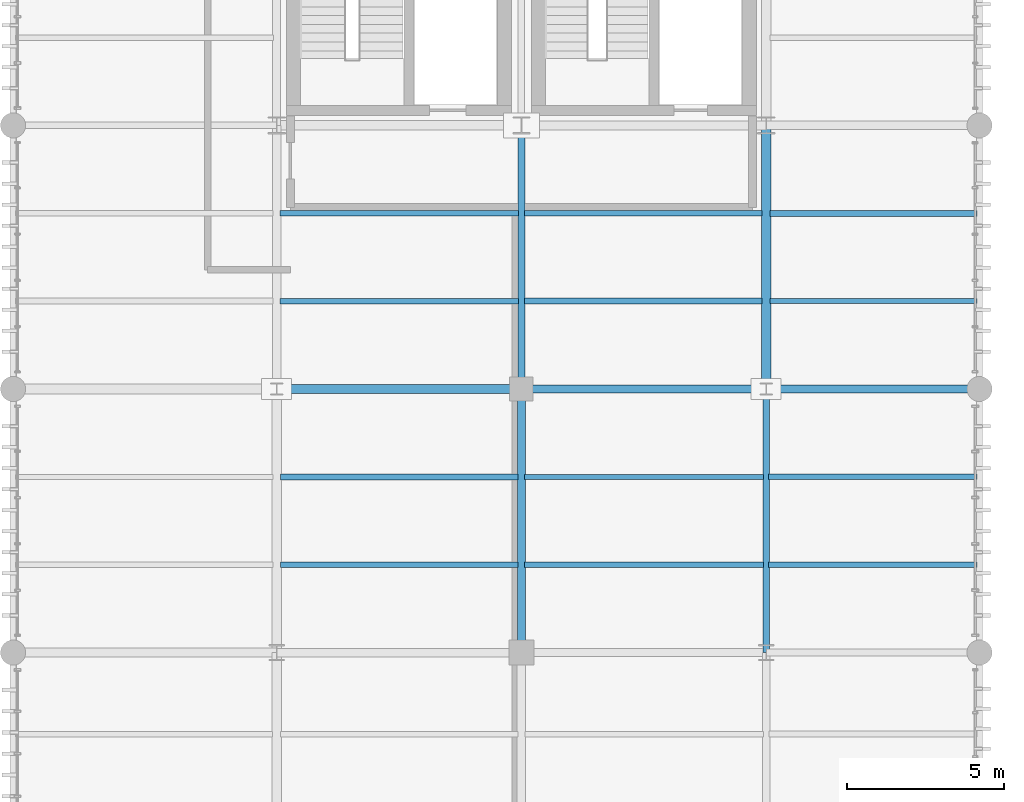
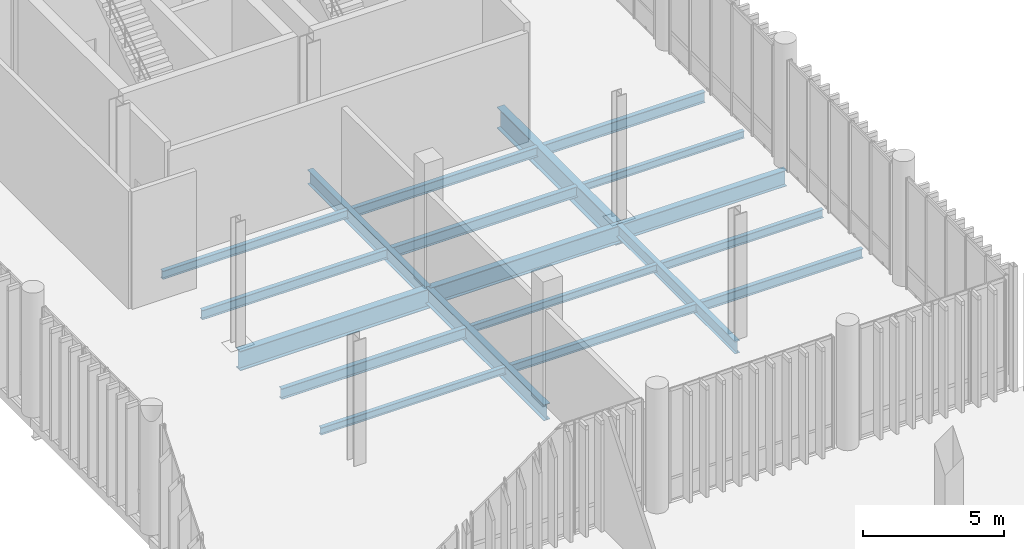
# One storey, part 64 of 112: 19 beams.
"""IFC4 building model written with IfcOpenShell, lengths in metres."""

from ifc_helpers import new_model, si_unit, direction, frame, origin_with_axes, origin_2d_with_axis, place, context, subcontext, project, spatial, i_section, extrude, material, material_profile, profile_set, type_object, element, save


model = new_model("IFC4")

# Units and contexts
model_context = context("Model", 3, precision=1e-05, world=origin_with_axes(), true_north=direction((0.0, 1.0)))
body_context = subcontext(model_context, "Body", "Model", "MODEL_VIEW")
ifc_project = project(units=[si_unit("LENGTHUNIT", "METRE"), si_unit("AREAUNIT", "SQUARE_METRE"), si_unit("VOLUMEUNIT", "CUBIC_METRE"), si_unit("PLANEANGLEUNIT", "RADIAN"), si_unit("MASSUNIT", "GRAM", prefix="KILO"), si_unit("THERMODYNAMICTEMPERATUREUNIT", "KELVIN")], contexts=[model_context])

# Site, building, storey
site_placement = place(None, origin_with_axes())
site = spatial("IfcSite", under=ifc_project, at=site_placement, CompositionType="ELEMENT")
building_placement = place(site_placement, origin_with_axes())
building = spatial("IfcBuilding", under=site, at=building_placement, Name="Montbau Bow Law Courts", CompositionType="ELEMENT")
storey_placement = place(building_placement, origin_with_axes())
storey = spatial("IfcBuildingStorey", under=building, at=storey_placement, Name="L00", CompositionType="ELEMENT", Elevation=0.0)

# Beams
ifc_material = material(Name="Steel CSA G40.21 Grade 350W (350 MPa)", Category="steel")
ifc_material_profile_1 = material_profile(ifc_material, i_section(OverallWidth=0.306, OverallDepth=0.919, WebThickness=0.0173, FlangeThickness=0.0279, at=origin_2d_with_axis()), Name="W920X253", Category="Main", Priority=0)
ifc_profile_set_1 = profile_set([ifc_material_profile_1], Name="Steel CSA G40.21 Grade 350W (350 MPa)")
beam_type_1 = type_object("IfcBeamType", Name="B-FLR-01", PredefinedType="BEAM", material=ifc_profile_set_1)
beam_1_placement = place(None, frame((162.6, 78.0, -0.72), z_axis=(0.0, 1.0, 0.0), x_axis=(-1.0, 0.0, 0.0)))
element("IfcBeam", 1, at=beam_1_placement, inside=storey, type_object=beam_type_1, Name="BM-L00-S0454:bm2_0457", PredefinedType="BEAM", context=body_context, shape_type="SweptSolid", body=[
    extrude(i_section(OverallWidth=0.306, OverallDepth=0.919, WebThickness=0.0173, FlangeThickness=0.0279, at=origin_2d_with_axis()), origin_with_axes(), (0.0, 0.0, 1.0), 8.4),
])
ifc_material_profile_2 = material_profile(ifc_material, i_section(OverallWidth=0.293, OverallDepth=0.846, WebThickness=0.0154, FlangeThickness=0.0244, at=origin_2d_with_axis()), Name="W840X210", Category="Main", Priority=0)
ifc_profile_set_2 = profile_set([ifc_material_profile_2], Name="Steel CSA G40.21 Grade 350W (350 MPa)")
beam_type_2 = type_object("IfcBeamType", Name="B-FLR-02", PredefinedType="BEAM", material=ifc_profile_set_2)
beam_2_placement = place(None, frame((147.0, 78.0, -0.683), z_axis=(1.0, 0.0, 0.0), x_axis=(0.0, 1.0, 0.0)))
element("IfcBeam", 2, at=beam_2_placement, inside=storey, type_object=beam_type_2, Name="BM-L00-S0408:bm2_0411", PredefinedType="BEAM", context=body_context, shape_type="SweptSolid", body=[
    extrude(i_section(OverallWidth=0.293, OverallDepth=0.846, WebThickness=0.0154, FlangeThickness=0.0244, at=origin_2d_with_axis()), origin_with_axes(), (0.0, 0.0, 1.0), 7.8),
])
ifc_material_profile_3 = material_profile(ifc_material, i_section(OverallWidth=0.267, OverallDepth=0.766, WebThickness=0.0149, FlangeThickness=0.0236, at=origin_2d_with_axis()), Name="W760X185", Category="Main", Priority=0)
ifc_profile_set_3 = profile_set([ifc_material_profile_3], Name="Steel CSA G40.21 Grade 350W (350 MPa)")
beam_type_3 = type_object("IfcBeamType", Name="B-FLR-03", PredefinedType="BEAM", material=ifc_profile_set_3)
beam_3_placement = place(None, frame((154.8, 78.0, -0.643), z_axis=(1.0, 0.0, 0.0), x_axis=(0.0, 1.0, 0.0)))
element("IfcBeam", 3, at=beam_3_placement, inside=storey, type_object=beam_type_3, Name="BM-L00-S0409:bm2_0412", PredefinedType="BEAM", context=body_context, shape_type="SweptSolid", body=[
    extrude(i_section(OverallWidth=0.267, OverallDepth=0.766, WebThickness=0.0149, FlangeThickness=0.0236, at=origin_2d_with_axis()), origin_with_axes(), (0.0, 0.0, 1.0), 7.8),
])
ifc_material_profile_4 = material_profile(ifc_material, i_section(OverallWidth=0.254, OverallDepth=0.688, WebThickness=0.0131, FlangeThickness=0.0211, at=origin_2d_with_axis()), Name="W690X152", Category="Main", Priority=0)
ifc_profile_set_4 = profile_set([ifc_material_profile_4], Name="Steel CSA G40.21 Grade 350W (350 MPa)")
beam_type_4 = type_object("IfcBeamType", Name="B-FLR-04", PredefinedType="BEAM", material=ifc_profile_set_4)
beam_4_placement = place(None, frame((162.6, 78.0, -0.604), z_axis=(1.0, 0.0, 0.0), x_axis=(0.0, 1.0, 0.0)))
element("IfcBeam", 4, at=beam_4_placement, inside=storey, type_object=beam_type_4, Name="BM-L00-S0410:bm2_0413", PredefinedType="BEAM", context=body_context, shape_type="SweptSolid", body=[
    extrude(i_section(OverallWidth=0.254, OverallDepth=0.688, WebThickness=0.0131, FlangeThickness=0.0211, at=origin_2d_with_axis()), origin_with_axes(), (0.0, 0.0, 1.0), 6.8),
])
beam_5_placement = place(None, frame((154.8, 69.6, -0.604), z_axis=(0.0, 1.0, 0.0), x_axis=(-1.0, 0.0, 0.0)))
element("IfcBeam", 5, at=beam_5_placement, inside=storey, type_object=beam_type_4, Name="BM-L00-S0446:bm2_0449", PredefinedType="BEAM", context=body_context, shape_type="SweptSolid", body=[
    extrude(i_section(OverallWidth=0.254, OverallDepth=0.688, WebThickness=0.0131, FlangeThickness=0.0211, at=origin_2d_with_axis()), origin_with_axes(), (0.0, 0.0, 1.0), 8.4),
])
ifc_material_profile_5 = material_profile(ifc_material, i_section(OverallWidth=0.229, OverallDepth=0.612, WebThickness=0.0119, FlangeThickness=0.0196, at=origin_2d_with_axis()), Name="W610X125", Category="Main", Priority=0)
ifc_profile_set_5 = profile_set([ifc_material_profile_5], Name="Steel CSA G40.21 Grade 350W (350 MPa)")
beam_type_5 = type_object("IfcBeamType", Name="B-FLR-05", PredefinedType="BEAM", material=ifc_profile_set_5)
beam_6_placement = place(None, frame((154.8, 78.0, -0.566), z_axis=(0.0, 1.0, 0.0), x_axis=(-1.0, 0.0, 0.0)))
element("IfcBeam", 6, at=beam_6_placement, inside=storey, type_object=beam_type_5, Name="BM-L00-S0447:bm2_0450", PredefinedType="BEAM", context=body_context, shape_type="SweptSolid", body=[
    extrude(i_section(OverallWidth=0.229, OverallDepth=0.612, WebThickness=0.0119, FlangeThickness=0.0196, at=origin_2d_with_axis()), origin_with_axes(), (0.0, 0.0, 1.0), 8.4),
])
ifc_material_profile_6 = material_profile(ifc_material, i_section(OverallWidth=0.21, OverallDepth=0.537, WebThickness=0.0109, FlangeThickness=0.0174, at=origin_2d_with_axis()), Name="W530X101", Category="Main", Priority=0)
ifc_profile_set_6 = profile_set([ifc_material_profile_6], Name="Steel CSA G40.21 Grade 350W (350 MPa)")
beam_type_6 = type_object("IfcBeamType", Name="B-FLR-06", PredefinedType="BEAM", material=ifc_profile_set_6)
beam_7_placement = place(None, frame((162.6, 69.6, -0.528), z_axis=(0.0, 1.0, 0.0), x_axis=(-1.0, 0.0, 0.0)))
element("IfcBeam", 7, at=beam_7_placement, inside=storey, type_object=beam_type_6, Name="BM-L00-S0453:bm2_0456", PredefinedType="BEAM", context=body_context, shape_type="SweptSolid", body=[
    extrude(i_section(OverallWidth=0.21, OverallDepth=0.537, WebThickness=0.0109, FlangeThickness=0.0174, at=origin_2d_with_axis()), origin_with_axes(), (0.0, 0.0, 1.0), 8.4),
])
ifc_material_profile_7 = material_profile(ifc_material, i_section(OverallWidth=0.191, OverallDepth=0.46, WebThickness=0.0099, FlangeThickness=0.016, at=origin_2d_with_axis()), Name="W460X82", Category="Main", Priority=0)
ifc_profile_set_7 = profile_set([ifc_material_profile_7], Name="Steel CSA G40.21 Grade 350W (350 MPa)")
beam_type_7 = type_object("IfcBeamType", Name="B-JST-01", PredefinedType="JOIST", material=ifc_profile_set_7)
beam_8_placement = place(None, frame((147.123, 75.2, -0.49), z_axis=(1.0, 0.0, 0.0), x_axis=(0.0, 1.0, 0.0)))
element("IfcBeam", 8, at=beam_8_placement, inside=storey, type_object=beam_type_7, Name="JST-L00-S0196:jst2_0196", PredefinedType="JOIST", context=body_context, shape_type="SweptSolid", body=[
    extrude(i_section(OverallWidth=0.191, OverallDepth=0.46, WebThickness=0.0099, FlangeThickness=0.016, at=origin_2d_with_axis()), origin_with_axes(), (0.0, 0.0, 1.0), 7.574),
])
beam_9_placement = place(None, frame((154.891, 80.8, -0.49), z_axis=(1.0, 0.0, 0.0), x_axis=(0.0, 1.0, 0.0)))
element("IfcBeam", 9, at=beam_9_placement, inside=storey, type_object=beam_type_7, Name="JST-L00-S0208:jst2_0208", PredefinedType="JOIST", context=body_context, shape_type="SweptSolid", body=[
    extrude(i_section(OverallWidth=0.191, OverallDepth=0.46, WebThickness=0.0099, FlangeThickness=0.016, at=origin_2d_with_axis()), origin_with_axes(), (0.0, 0.0, 1.0), 7.58),
])
beam_10_placement = place(None, frame((162.729, 83.6, -0.49), z_axis=(1.0, 0.0, 0.0), x_axis=(0.0, 1.0, 0.0)))
element("IfcBeam", 10, at=beam_10_placement, inside=storey, type_object=beam_type_7, Name="JST-L00-S0220:jst2_0220", PredefinedType="JOIST", context=body_context, shape_type="SweptSolid", body=[
    extrude(i_section(OverallWidth=0.191, OverallDepth=0.46, WebThickness=0.0099, FlangeThickness=0.016, at=origin_2d_with_axis()), origin_with_axes(), (0.0, 0.0, 1.0), 6.591),
])
ifc_material_profile_8 = material_profile(ifc_material, i_section(OverallWidth=0.179, OverallDepth=0.41, WebThickness=0.0088, FlangeThickness=0.0144, at=origin_2d_with_axis()), Name="W410X67", Category="Main", Priority=0)
ifc_profile_set_8 = profile_set([ifc_material_profile_8], Name="Steel CSA G40.21 Grade 350W (350 MPa)")
beam_type_8 = type_object("IfcBeamType", Name="B-JST-02", PredefinedType="JOIST", material=ifc_profile_set_8)
beam_11_placement = place(None, frame((147.109, 80.8, -0.465), z_axis=(1.0, 0.0, 0.0), x_axis=(0.0, 1.0, 0.0)))
element("IfcBeam", 11, at=beam_11_placement, inside=storey, type_object=beam_type_8, Name="JST-L00-S0197:jst2_0197", PredefinedType="JOIST", context=body_context, shape_type="SweptSolid", body=[
    extrude(i_section(OverallWidth=0.179, OverallDepth=0.41, WebThickness=0.0088, FlangeThickness=0.0144, at=origin_2d_with_axis()), origin_with_axes(), (0.0, 0.0, 1.0), 7.601),
])
beam_12_placement = place(None, frame((154.891, 83.6, -0.465), z_axis=(1.0, 0.0, 0.0), x_axis=(0.0, 1.0, 0.0)))
element("IfcBeam", 12, at=beam_12_placement, inside=storey, type_object=beam_type_8, Name="JST-L00-S0209:jst2_0209", PredefinedType="JOIST", context=body_context, shape_type="SweptSolid", body=[
    extrude(i_section(OverallWidth=0.179, OverallDepth=0.41, WebThickness=0.0088, FlangeThickness=0.0144, at=origin_2d_with_axis()), origin_with_axes(), (0.0, 0.0, 1.0), 7.58),
])
beam_13_placement = place(None, frame((162.681, 72.4, -0.465), z_axis=(1.0, 0.0, 0.0), x_axis=(0.0, 1.0, 0.0)))
element("IfcBeam", 13, at=beam_13_placement, inside=storey, type_object=beam_type_8, Name="JST-L00-S0217:jst2_0217", PredefinedType="JOIST", context=body_context, shape_type="SweptSolid", body=[
    extrude(i_section(OverallWidth=0.179, OverallDepth=0.41, WebThickness=0.0088, FlangeThickness=0.0144, at=origin_2d_with_axis()), origin_with_axes(), (0.0, 0.0, 1.0), 6.639),
])
ifc_material_profile_9 = material_profile(ifc_material, i_section(OverallWidth=0.172, OverallDepth=0.358, WebThickness=0.0079, FlangeThickness=0.0131, at=origin_2d_with_axis()), Name="W360X57", Category="Main", Priority=0)
ifc_profile_set_9 = profile_set([ifc_material_profile_9], Name="Steel CSA G40.21 Grade 350W (350 MPa)")
beam_type_9 = type_object("IfcBeamType", Name="B-JST-03", PredefinedType="JOIST", material=ifc_profile_set_9)
beam_14_placement = place(None, frame((147.109, 83.6, -0.439), z_axis=(1.0, 0.0, 0.0), x_axis=(0.0, 1.0, 0.0)))
element("IfcBeam", 14, at=beam_14_placement, inside=storey, type_object=beam_type_9, Name="JST-L00-S0198:jst2_0198", PredefinedType="JOIST", context=body_context, shape_type="SweptSolid", body=[
    extrude(i_section(OverallWidth=0.172, OverallDepth=0.358, WebThickness=0.0079, FlangeThickness=0.0131, at=origin_2d_with_axis()), origin_with_axes(), (0.0, 0.0, 1.0), 7.601),
])
beam_15_placement = place(None, frame((154.903, 72.4, -0.439), z_axis=(1.0, 0.0, 0.0), x_axis=(0.0, 1.0, 0.0)))
element("IfcBeam", 15, at=beam_15_placement, inside=storey, type_object=beam_type_9, Name="JST-L00-S0206:jst2_0206", PredefinedType="JOIST", context=body_context, shape_type="SweptSolid", body=[
    extrude(i_section(OverallWidth=0.172, OverallDepth=0.358, WebThickness=0.0079, FlangeThickness=0.0131, at=origin_2d_with_axis()), origin_with_axes(), (0.0, 0.0, 1.0), 7.616),
])
beam_16_placement = place(None, frame((162.681, 75.2, -0.439), z_axis=(1.0, 0.0, 0.0), x_axis=(0.0, 1.0, 0.0)))
element("IfcBeam", 16, at=beam_16_placement, inside=storey, type_object=beam_type_9, Name="JST-L00-S0218:jst2_0218", PredefinedType="JOIST", context=body_context, shape_type="SweptSolid", body=[
    extrude(i_section(OverallWidth=0.172, OverallDepth=0.358, WebThickness=0.0079, FlangeThickness=0.0131, at=origin_2d_with_axis()), origin_with_axes(), (0.0, 0.0, 1.0), 6.639),
])
ifc_material_profile_10 = material_profile(ifc_material, i_section(OverallWidth=0.166, OverallDepth=0.313, WebThickness=0.0066, FlangeThickness=0.0112, at=origin_2d_with_axis()), Name="W310X45", Category="Main", Priority=0)
ifc_profile_set_10 = profile_set([ifc_material_profile_10], Name="Steel CSA G40.21 Grade 350W (350 MPa)")
beam_type_10 = type_object("IfcBeamType", Name="B-JST-04", PredefinedType="JOIST", material=ifc_profile_set_10)
beam_17_placement = place(None, frame((147.123, 72.4, -0.416), z_axis=(1.0, 0.0, 0.0), x_axis=(0.0, 1.0, 0.0)))
element("IfcBeam", 17, at=beam_17_placement, inside=storey, type_object=beam_type_10, Name="JST-L00-S0195:jst2_0195", PredefinedType="JOIST", context=body_context, shape_type="SweptSolid", body=[
    extrude(i_section(OverallWidth=0.166, OverallDepth=0.313, WebThickness=0.0066, FlangeThickness=0.0112, at=origin_2d_with_axis()), origin_with_axes(), (0.0, 0.0, 1.0), 7.574),
])
beam_18_placement = place(None, frame((154.903, 75.2, -0.416), z_axis=(1.0, 0.0, 0.0), x_axis=(0.0, 1.0, 0.0)))
element("IfcBeam", 18, at=beam_18_placement, inside=storey, type_object=beam_type_10, Name="JST-L00-S0207:jst2_0207", PredefinedType="JOIST", context=body_context, shape_type="SweptSolid", body=[
    extrude(i_section(OverallWidth=0.166, OverallDepth=0.313, WebThickness=0.0066, FlangeThickness=0.0112, at=origin_2d_with_axis()), origin_with_axes(), (0.0, 0.0, 1.0), 7.616),
])
beam_19_placement = place(None, frame((162.729, 80.8, -0.416), z_axis=(1.0, 0.0, 0.0), x_axis=(0.0, 1.0, 0.0)))
element("IfcBeam", 19, at=beam_19_placement, inside=storey, type_object=beam_type_10, Name="JST-L00-S0219:jst2_0219", PredefinedType="JOIST", context=body_context, shape_type="SweptSolid", body=[
    extrude(i_section(OverallWidth=0.166, OverallDepth=0.313, WebThickness=0.0066, FlangeThickness=0.0112, at=origin_2d_with_axis()), origin_with_axes(), (0.0, 0.0, 1.0), 6.591),
])

save(model, "model.ifc")
